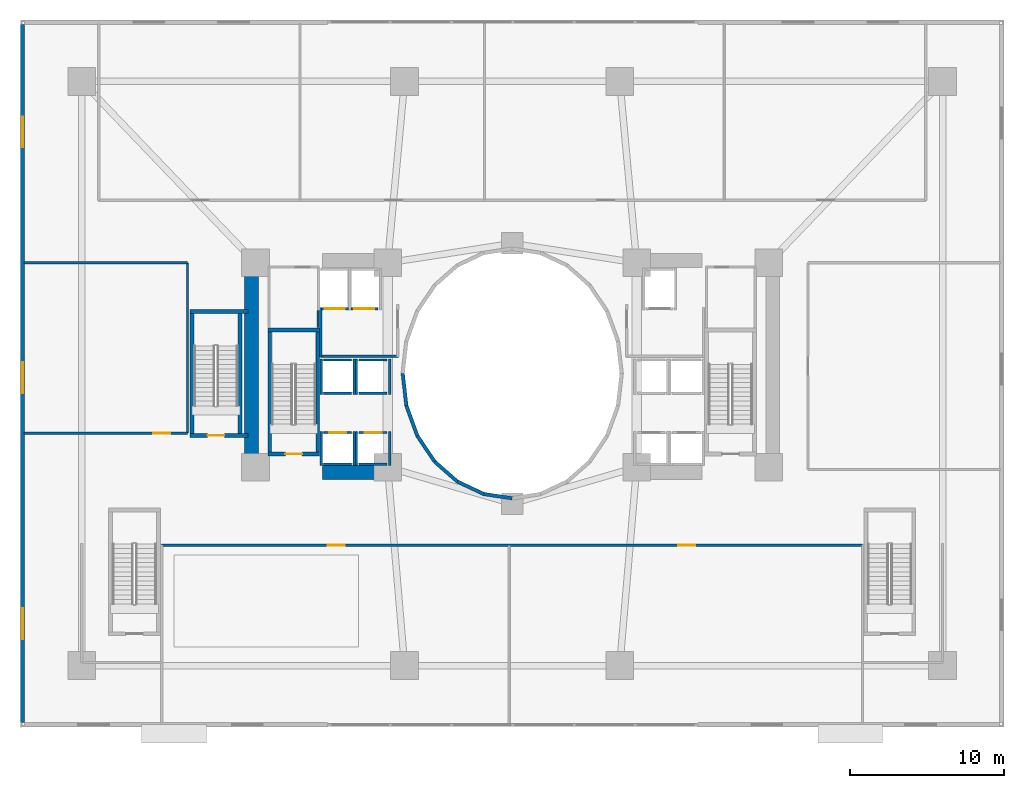
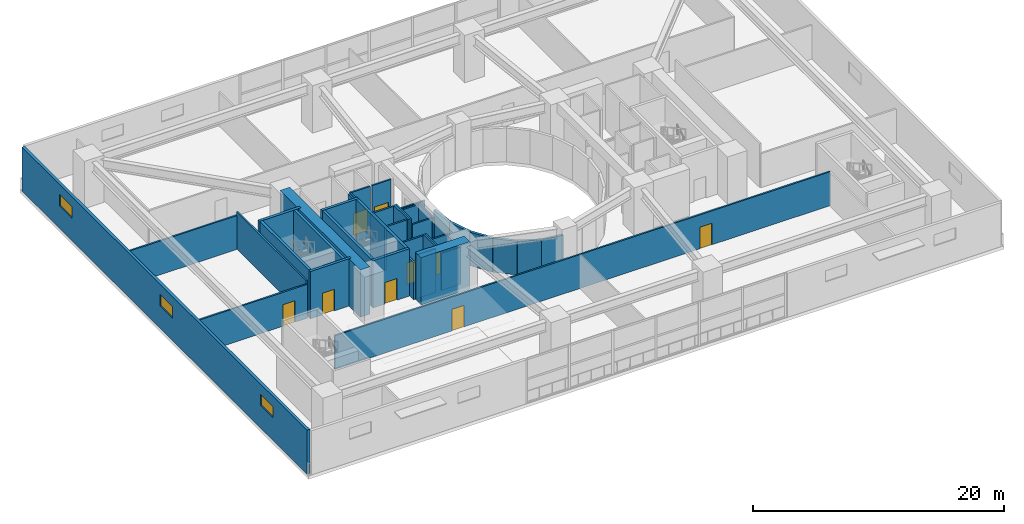
# One storey, part 11 of 20: 42 walls, 9 doors, 3 windows, 12 openings.
"""IFC4 building model written with IfcOpenShell, lengths in metres."""

from ifc_helpers import new_model, si_unit, direction, frame, frame_2d, origin, place, context, subcontext, project, spatial, rectangle, extrude, material, layer, layer_set, type_object, element, fill, save


model = new_model("IFC4")

# Units and contexts
model_context = context("Model", 3, precision=1e-05, world=origin(), true_north=direction((0.0, 1.0)))
body_context = subcontext(model_context, "Body", "Model", "MODEL_VIEW")
ifc_project = project(units=[si_unit("LENGTHUNIT", "METRE"), si_unit("AREAUNIT", "SQUARE_METRE"), si_unit("VOLUMEUNIT", "CUBIC_METRE"), si_unit("PLANEANGLEUNIT", "RADIAN"), si_unit("MASSUNIT", "GRAM", prefix="KILO")], contexts=[model_context])

# Site, building, storey
site_placement = place(None, origin())
site = spatial("IfcSite", under=ifc_project, at=site_placement, CompositionType="ELEMENT")
building_placement = place(site_placement, origin())
building = spatial("IfcBuilding", under=site, at=building_placement, Name="Solvane Sanctuary Tower", CompositionType="ELEMENT")
storey_placement = place(building_placement, frame((0.0, 0.0, 18.39990234375)))
storey = spatial("IfcBuildingStorey", under=building, at=storey_placement, Name="L05", CompositionType="ELEMENT", Elevation=18.39990234375)

# Walls
ifc_material_1 = material(Name="Concrete C70/85", Category="concrete")
ifc_layer_1 = layer(ifc_material_1, 0.89990234375, Name="Concrete C70/85")
ifc_layer_set_1 = layer_set([ifc_layer_1], Name="Concrete C70/85")
wall_type_1 = type_object("IfcWallType", Name="Wall W-CORE-900", PredefinedType="SHEAR", material=ifc_layer_set_1)
wall_1_placement = place(storey_placement, frame((15.050048828125, 17.050048828125, 0.0), z_axis=(0.0, 0.0, 1.0), x_axis=(0.0, 1.0, 0.0)))
element("IfcWall", 1, at=wall_1_placement, inside=storey, type_object=wall_type_1, Name="L05 Core Shear Wall WC-W", PredefinedType="SHEAR", context=body_context, shape_type="SweptSolid", body=[
    extrude(rectangle(XDim=12.800048828125, YDim=0.89990234375, at=frame_2d((6.39990234375, 0.0))), origin(), (0.0, 0.0, 1.0), 4.60009765625),
])
wall_2_placement = place(storey_placement, frame((19.64990234375, 16.550048828125, 0.0), z_axis=(0.0, 0.0, 1.0), x_axis=(1.0, 0.0, 0.0)))
element("IfcWall", 2, at=wall_2_placement, inside=storey, type_object=wall_type_1, Name="L05 Core Shear Wall WC-S", PredefinedType="SHEAR", context=body_context, shape_type="SweptSolid", body=[
    extrude(rectangle(XDim=4.5, YDim=0.89990234375, at=frame_2d((2.25, 0.0))), origin(), (0.0, 0.0, 1.0), 4.60009765625),
])
ifc_material_2 = material(Name="Acoustic Gypsum Partition Board")
ifc_layer_2 = layer(ifc_material_2, 0.14990234375, Name="Acoustic Gypsum Partition Board")
ifc_layer_set_2 = layer_set([ifc_layer_2], Name="Acoustic Gypsum Partition Board")
wall_type_2 = type_object("IfcWallType", Name="Wall W-CORR-150", PredefinedType="PARTITIONING", material=ifc_layer_set_2)
wall_3_placement = place(storey_placement, frame((19.52001953125, 24.1201171875, 0.0), z_axis=(0.0, 0.0, 1.0), x_axis=(1.0, 0.0, 0.0)))
element("IfcWall", 3, at=wall_3_placement, inside=storey, type_object=wall_type_2, Name="L05 West Firefighting Lobby South Wall", PredefinedType="PARTITIONING", context=body_context, shape_type="SweptSolid", body=[
    extrude(rectangle(XDim=5.080078125, YDim=0.14990234375, at=frame_2d((2.5400390625, 0.0))), origin(), (0.0, 0.0, 1.0), 3.6201171875),
])
wall_4_placement = place(storey_placement, frame((19.550048828125, 24.080078125, 0.0), z_axis=(0.0, 0.0, 1.0), x_axis=(0.0, 1.0, 0.0)))
element("IfcWall", 4, at=wall_4_placement, inside=storey, type_object=wall_type_2, Name="L05 West Firefighting Lobby West Wall", PredefinedType="PARTITIONING", context=body_context, shape_type="SweptSolid", body=[
    extrude(rectangle(XDim=3.199951171875, YDim=0.14990234375, at=frame_2d((1.60009765625, 0.0))), origin(), (0.0, 0.0, 1.0), 4.255126953125),
])

# Wall, openings, doors
wall_5_placement = place(storey_placement, frame((9.199951171875, 11.830078125, 0.0), z_axis=(0.0, 0.0, 1.0), x_axis=(1.0, 0.0, 0.0)))
wall_5 = element("IfcWall", 5, at=wall_5_placement, inside=storey, type_object=wall_type_2, Name="L05 South Sanctuary Corridor Wall", PredefinedType="PARTITIONING", context=body_context, shape_type="SweptSolid", body=[
    extrude(rectangle(XDim=45.60009765625, YDim=0.14990234375, at=frame_2d((22.800048828125, 0.0))), origin(), (0.0, 0.0, 1.0), 3.300048828125),
])
opening_1_placement = place(wall_5_placement, frame((10.800048828125, 0.0, 0.0)))
opening_1 = element("IfcOpeningElement", 6, at=opening_1_placement, cuts=wall_5, Name="Opening D-L05-08", PredefinedType="OPENING", context=body_context, shape_type="SweptSolid", body=[
    extrude(rectangle(XDim=1.10009765625, YDim=2.10009765625, at=frame_2d((0.550048828125, 1.050048828125))), frame((0.0, 0.0849609375, 0.0), z_axis=(0.0, -1.0, 0.0), x_axis=(1.0, 0.0, 0.0)), (0.0, 0.0, 1.0), 0.169921875),
])
opening_2_placement = place(wall_5_placement, frame((33.60009765625, 0.0, 0.0)))
opening_2 = element("IfcOpeningElement", 7, at=opening_2_placement, cuts=wall_5, Name="Opening D-L05-09", PredefinedType="OPENING", context=body_context, shape_type="SweptSolid", body=[
    extrude(rectangle(XDim=1.10009765625, YDim=2.10009765625, at=frame_2d((0.550048828125, 1.050048828125))), frame((0.0, 0.0849609375, 0.0), z_axis=(0.0, -1.0, 0.0), x_axis=(1.0, 0.0, 0.0)), (0.0, 0.0, 1.0), 0.169921875),
])
ifc_material_3 = material(Name="Architectural Stainless Steel 316", Category="steel")
door_type_1 = type_object("IfcDoorType", Name="Door D-FFL", OperationType="NOTDEFINED", PredefinedType="DOOR", material=ifc_material_3)
door_1_placement = place(opening_1_placement, origin())
door_1 = element("IfcDoor", 8, at=door_1_placement, inside=storey, type_object=door_type_1, Name="L05 CHAP Hall Door", OperationType="SINGLE_SWING_RIGHT", OverallHeight=2.10009765625, OverallWidth=1.10009765625, PredefinedType="DOOR", context=body_context, shape_type="SweptSolid", body=[
    extrude(rectangle(XDim=1.10009765625, YDim=2.10009765625, at=frame_2d((0.550048828125, 1.050048828125))), frame((0.0, 0.02490234375, 0.0), z_axis=(0.0, -1.0, 0.0), x_axis=(1.0, 0.0, 0.0)), (0.0, 0.0, 1.0), 0.050048828125),
])
fill(opening_1, door_1)
door_2_placement = place(opening_2_placement, origin())
door_2 = element("IfcDoor", 9, at=door_2_placement, inside=storey, type_object=door_type_1, Name="L05 LECT Hall Door", OperationType="SINGLE_SWING_LEFT", OverallHeight=2.10009765625, OverallWidth=1.10009765625, PredefinedType="DOOR", context=body_context, shape_type="SweptSolid", body=[
    extrude(rectangle(XDim=1.10009765625, YDim=2.10009765625, at=frame_2d((0.550048828125, 1.050048828125))), frame((0.0, 0.02490234375, 0.0), z_axis=(0.0, -1.0, 0.0), x_axis=(1.0, 0.0, 0.0)), (0.0, 0.0, 1.0), 0.050048828125),
])
fill(opening_2, door_2)

# Wall, opening, door
wall_6_placement = place(storey_placement, frame((0.25, 19.1201171875, 0.0), z_axis=(0.0, 0.0, 1.0), x_axis=(1.0, 0.0, 0.0)))
wall_6 = element("IfcWall", 10, at=wall_6_placement, inside=storey, type_object=wall_type_2, Name="L05 West Cloister South Wall", PredefinedType="PARTITIONING", context=body_context, shape_type="SweptSolid", body=[
    extrude(rectangle(XDim=10.6298828125, YDim=0.14990234375, at=frame_2d((5.31494140625, 0.0))), origin(), (0.0, 0.0, 1.0), 3.300048828125),
])
opening_3_placement = place(wall_6_placement, frame((8.39990234375, 0.0, 0.0)))
opening_3 = element("IfcOpeningElement", 11, at=opening_3_placement, cuts=wall_6, Name="Opening D-L05-15", PredefinedType="OPENING", context=body_context, shape_type="SweptSolid", body=[
    extrude(rectangle(XDim=1.10009765625, YDim=2.10009765625, at=frame_2d((0.550048828125, 1.050048828125))), frame((0.0, 0.0849609375, 0.0), z_axis=(0.0, -1.0, 0.0), x_axis=(1.0, 0.0, 0.0)), (0.0, 0.0, 1.0), 0.169921875),
])
door_3_placement = place(opening_3_placement, origin())
door_3 = element("IfcDoor", 12, at=door_3_placement, inside=storey, type_object=door_type_1, Name="L05 West Cloister Door", OperationType="SINGLE_SWING_LEFT", OverallHeight=2.10009765625, OverallWidth=1.10009765625, PredefinedType="DOOR", context=body_context, shape_type="SweptSolid", body=[
    extrude(rectangle(XDim=1.10009765625, YDim=2.10009765625, at=frame_2d((0.550048828125, 1.050048828125))), frame((0.0, 0.02490234375, 0.0), z_axis=(0.0, -1.0, 0.0), x_axis=(1.0, 0.0, 0.0)), (0.0, 0.0, 1.0), 0.050048828125),
])
fill(opening_3, door_3)

# Walls
wall_7_placement = place(storey_placement, frame((10.8798828125, 19.1201171875, 0.0), z_axis=(0.0, 0.0, 1.0), x_axis=(0.0, 1.0, 0.0)))
element("IfcWall", 13, at=wall_7_placement, inside=storey, type_object=wall_type_2, Name="L05 West Cloister East Wall", PredefinedType="PARTITIONING", context=body_context, shape_type="SweptSolid", body=[
    extrude(rectangle(XDim=11.079833984375, YDim=0.14990234375, at=frame_2d((5.5400390625, 0.0))), origin(), (0.0, 0.0, 1.0), 3.6201171875),
])
wall_8_placement = place(storey_placement, frame((0.25, 30.199951171875, 0.0), z_axis=(0.0, 0.0, 1.0), x_axis=(1.0, 0.0, 0.0)))
element("IfcWall", 14, at=wall_8_placement, inside=storey, type_object=wall_type_2, Name="L05 West Cloister North Wall", PredefinedType="PARTITIONING", context=body_context, shape_type="SweptSolid", body=[
    extrude(rectangle(XDim=10.6298828125, YDim=0.14990234375, at=frame_2d((5.31494140625, 0.0))), origin(), (0.0, 0.0, 1.0), 3.300048828125),
])

# Wall, openings, windows
ifc_material_4 = material(Name="Precast concrete C40/50", Category="concrete")
ifc_layer_3 = layer(ifc_material_4, 0.260009765625, Name="Precast concrete C40/50")
ifc_layer_set_3 = layer_set([ifc_layer_3], Name="Precast concrete C40/50")
wall_type_3 = type_object("IfcWallType", Name="Wall W-EXT-250", PredefinedType="STANDARD", material=ifc_layer_set_3)
wall_9_placement = place(storey_placement, frame((0.14990234375, 45.719970703125, 0.0), z_axis=(0.0, 0.0, 1.0), x_axis=(0.0, -1.0, 0.0)))
wall_9 = element("IfcWall", 15, at=wall_9_placement, inside=storey, type_object=wall_type_3, Name="L05 Podium Facade Wall W1", PredefinedType="STANDARD", context=body_context, shape_type="SweptSolid", body=[
    extrude(rectangle(XDim=45.43994140625, YDim=0.260009765625, at=frame_2d((22.719970703125, 0.0))), origin(), (0.0, 0.0, 1.0), 4.280029296875),
])
opening_4_placement = place(wall_9_placement, frame((6.0, 0.0, 2.199951171875)))
opening_4 = element("IfcOpeningElement", 16, at=opening_4_placement, cuts=wall_9, Name="Opening WN-CLER-2000", PredefinedType="OPENING", context=body_context, shape_type="SweptSolid", body=[
    extrude(rectangle(XDim=2.0, YDim=1.10009765625, at=frame_2d((1.0, 0.550048828125))), frame((0.0, 0.139892578125, 0.0), z_axis=(0.0, -1.0, 0.0), x_axis=(1.0, 0.0, 0.0)), (0.0, 0.0, 1.0), 0.280029296875),
])
opening_5_placement = place(wall_9_placement, frame((22.0, 0.0, 2.199951171875)))
opening_5 = element("IfcOpeningElement", 17, at=opening_5_placement, cuts=wall_9, Name="Opening WN-CLER-2000", PredefinedType="OPENING", context=body_context, shape_type="SweptSolid", body=[
    extrude(rectangle(XDim=2.0, YDim=1.10009765625, at=frame_2d((1.0, 0.550048828125))), frame((0.0, 0.139892578125, 0.0), z_axis=(0.0, -1.0, 0.0), x_axis=(1.0, 0.0, 0.0)), (0.0, 0.0, 1.0), 0.280029296875),
])
opening_6_placement = place(wall_9_placement, frame((38.0, 0.0, 2.199951171875)))
opening_6 = element("IfcOpeningElement", 18, at=opening_6_placement, cuts=wall_9, Name="Opening WN-CLER-2000", PredefinedType="OPENING", context=body_context, shape_type="SweptSolid", body=[
    extrude(rectangle(XDim=2.0, YDim=1.10009765625, at=frame_2d((1.0, 0.550048828125))), frame((0.0, 0.139892578125, 0.0), z_axis=(0.0, -1.0, 0.0), x_axis=(1.0, 0.0, 0.0)), (0.0, 0.0, 1.0), 0.280029296875),
])
ifc_material_5 = material(Name="Dark Ceramic-Fritted Low-E Glass", Category="glass")
window_type = type_object("IfcWindowType", Name="Window WN-CLER-2000", PartitioningType="SINGLE_PANEL", PredefinedType="WINDOW", material=ifc_material_5)
window_1_placement = place(opening_4_placement, origin())
window_1 = element("IfcWindow", 19, at=window_1_placement, inside=storey, type_object=window_type, Name="L05 Podium Window W1-6", OverallHeight=1.10009765625, OverallWidth=2.0, PartitioningType="SINGLE_PANEL", PredefinedType="WINDOW", context=body_context, shape_type="SweptSolid", body=[
    extrude(rectangle(XDim=2.0, YDim=1.10009765625, at=frame_2d((1.0, 0.550048828125))), frame((0.0, 0.030029296875, 0.0), z_axis=(0.0, -1.0, 0.0), x_axis=(1.0, 0.0, 0.0)), (0.0, 0.0, 1.0), 0.06005859375),
])
fill(opening_4, window_1)
window_2_placement = place(opening_5_placement, origin())
window_2 = element("IfcWindow", 20, at=window_2_placement, inside=storey, type_object=window_type, Name="L05 Podium Window W1-22", OverallHeight=1.10009765625, OverallWidth=2.0, PartitioningType="SINGLE_PANEL", PredefinedType="WINDOW", context=body_context, shape_type="SweptSolid", body=[
    extrude(rectangle(XDim=2.0, YDim=1.10009765625, at=frame_2d((1.0, 0.550048828125))), frame((0.0, 0.030029296875, 0.0), z_axis=(0.0, -1.0, 0.0), x_axis=(1.0, 0.0, 0.0)), (0.0, 0.0, 1.0), 0.06005859375),
])
fill(opening_5, window_2)
window_3_placement = place(opening_6_placement, origin())
window_3 = element("IfcWindow", 21, at=window_3_placement, inside=storey, type_object=window_type, Name="L05 Podium Window W1-38", OverallHeight=1.10009765625, OverallWidth=2.0, PartitioningType="SINGLE_PANEL", PredefinedType="WINDOW", context=body_context, shape_type="SweptSolid", body=[
    extrude(rectangle(XDim=2.0, YDim=1.10009765625, at=frame_2d((1.0, 0.550048828125))), frame((0.0, 0.030029296875, 0.0), z_axis=(0.0, -1.0, 0.0), x_axis=(1.0, 0.0, 0.0)), (0.0, 0.0, 1.0), 0.06005859375),
])
fill(opening_6, window_3)

# Walls
ifc_layer_4 = layer(ifc_material_4, 0.22998046875, Name="Precast concrete C40/50")
ifc_layer_set_4 = layer_set([ifc_layer_4], Name="Precast concrete C40/50")
wall_type_4 = type_object("IfcWallType", Name="Wall W-EXT-SP220", PredefinedType="STANDARD", material=ifc_layer_set_4)
wall_10_placement = place(storey_placement, frame((24.8798828125, 23.0, 0.0), z_axis=(0.0, 0.0, 1.0), x_axis=(0.114711713601, -0.993398823617, 0.0)))
element("IfcWall", 22, at=wall_10_placement, inside=storey, type_object=wall_type_4, Name="L05 Light-Well Enclosure Wall 12", PredefinedType="STANDARD", context=body_context, shape_type="SweptSolid", body=[
    extrude(rectangle(XDim=2.115478515625, YDim=0.22998046875, at=frame_2d((1.0576171875, 0.0))), origin(), (0.0, 0.0, 1.0), 3.280029296875),
])
wall_11_placement = place(storey_placement, frame((25.12255859375, 20.8984375, 0.0), z_axis=(0.0, 0.0, 1.0), x_axis=(0.341423187295, -0.93990968033, 0.0)))
element("IfcWall", 23, at=wall_11_placement, inside=storey, type_object=wall_type_4, Name="L05 Light-Well Enclosure Wall 13", PredefinedType="STANDARD", context=body_context, shape_type="SweptSolid", body=[
    extrude(rectangle(XDim=2.083740234375, YDim=0.22998046875, at=frame_2d((1.0419921875, 0.0))), origin(), (0.0, 0.0, 1.0), 3.280029296875),
])
wall_12_placement = place(storey_placement, frame((25.833984375, 18.93994140625, 0.0), z_axis=(0.0, 0.0, 1.0), x_axis=(0.558197800898, -0.829707909492, 0.0)))
element("IfcWall", 24, at=wall_12_placement, inside=storey, type_object=wall_type_4, Name="L05 Light-Well Enclosure Wall 14", PredefinedType="STANDARD", context=body_context, shape_type="SweptSolid", body=[
    extrude(rectangle(XDim=2.02685546875, YDim=0.22998046875, at=frame_2d((1.013427734375, 0.0))), origin(), (0.0, 0.0, 1.0), 3.280029296875),
])
wall_13_placement = place(storey_placement, frame((26.96533203125, 17.25830078125, 0.0), z_axis=(0.0, 0.0, 1.0), x_axis=(0.752576694707, -0.658504607869, 0.0)))
element("IfcWall", 25, at=wall_13_placement, inside=storey, type_object=wall_type_4, Name="L05 Light-Well Enclosure Wall 15", PredefinedType="STANDARD", context=body_context, shape_type="SweptSolid", body=[
    extrude(rectangle(XDim=1.95947265625, YDim=0.22998046875, at=frame_2d((0.979736328125, 0.0))), origin(), (0.0, 0.0, 1.0), 3.280029296875),
])
wall_14_placement = place(storey_placement, frame((28.43994140625, 15.968017578125, 0.0), z_axis=(0.0, 0.0, 1.0), x_axis=(0.904179699603, -0.427152280606, 0.0)))
element("IfcWall", 26, at=wall_14_placement, inside=storey, type_object=wall_type_4, Name="L05 Light-Well Enclosure Wall 16", PredefinedType="STANDARD", context=body_context, shape_type="SweptSolid", body=[
    extrude(rectangle(XDim=1.899169921875, YDim=0.22998046875, at=frame_2d((0.94970703125, 0.0))), origin(), (0.0, 0.0, 1.0), 3.280029296875),
])
wall_15_placement = place(storey_placement, frame((30.1572265625, 15.15673828125, 0.0), z_axis=(0.0, 0.0, 1.0), x_axis=(0.988901730308, -0.148571086668, 0.0)))
element("IfcWall", 27, at=wall_15_placement, inside=storey, type_object=wall_type_4, Name="L05 Light-Well Enclosure Wall 17", PredefinedType="STANDARD", context=body_context, shape_type="SweptSolid", body=[
    extrude(rectangle(XDim=1.863525390625, YDim=0.22998046875, at=frame_2d((0.931640625, 0.0))), origin(), (0.0, 0.0, 1.0), 3.280029296875),
])

# Wall, opening, door
ifc_material_6 = material(Name="Concrete C50/60", Category="concrete")
ifc_layer_5 = layer(ifc_material_6, 0.14990234375, Name="Concrete C50/60")
ifc_layer_set_5 = layer_set([ifc_layer_5], Name="Concrete C50/60")
wall_type_5 = type_object("IfcWallType", Name="Wall W-SHAFT-150", PredefinedType="SOLIDWALL", material=ifc_layer_set_5)
wall_16_placement = place(storey_placement, frame((19.739990234375, 19.159912109375, 0.0), z_axis=(0.0, 0.0, 1.0), x_axis=(1.0, 0.0, 0.0)))
wall_16 = element("IfcWall", 28, at=wall_16_placement, inside=storey, type_object=wall_type_5, Name="L05 PL-1 Lift Shaft Wall F", PredefinedType="SOLIDWALL", context=body_context, shape_type="SweptSolid", body=[
    extrude(rectangle(XDim=1.820068359375, YDim=0.14990234375, at=frame_2d((0.91015625, 0.0))), origin(), (0.0, 0.0, 1.0), 4.255126953125),
])
opening_7_placement = place(wall_16_placement, frame((0.360107421875, 0.0, 0.0)))
opening_7 = element("IfcOpeningElement", 29, at=opening_7_placement, cuts=wall_16, Name="Opening LD-L05-01", PredefinedType="OPENING", context=body_context, shape_type="SweptSolid", body=[
    extrude(rectangle(XDim=1.10009765625, YDim=2.10009765625, at=frame_2d((0.550048828125, 1.050048828125))), frame((0.0, 0.0849609375, 0.0), z_axis=(0.0, -1.0, 0.0), x_axis=(1.0, 0.0, 0.0)), (0.0, 0.0, 1.0), 0.169921875),
])
door_type_2 = type_object("IfcDoorType", Name="Door LD-PASS-1100", OperationType="NOTDEFINED", PredefinedType="DOOR", material=ifc_material_3)
door_4_placement = place(opening_7_placement, origin())
door_4 = element("IfcDoor", 30, at=door_4_placement, inside=storey, type_object=door_type_2, Name="L05 PL-1 Lift Landing Door", OperationType="DOUBLE_DOOR_SLIDING", OverallHeight=2.10009765625, OverallWidth=1.10009765625, PredefinedType="DOOR", context=body_context, shape_type="SweptSolid", body=[
    extrude(rectangle(XDim=1.10009765625, YDim=2.10009765625, at=frame_2d((0.550048828125, 1.050048828125))), frame((0.0, 0.02490234375, 0.0), z_axis=(0.0, -1.0, 0.0), x_axis=(1.0, 0.0, 0.0)), (0.0, 0.0, 1.0), 0.050048828125),
])
fill(opening_7, door_4)

# Walls
wall_17_placement = place(storey_placement, frame((19.739990234375, 17.10009765625, 0.0), z_axis=(0.0, 0.0, 1.0), x_axis=(1.0, 0.0, 0.0)))
element("IfcWall", 31, at=wall_17_placement, inside=storey, type_object=wall_type_5, Name="L05 PL-1 Lift Shaft Wall B", PredefinedType="SOLIDWALL", context=body_context, shape_type="SweptSolid", body=[
    extrude(rectangle(XDim=1.820068359375, YDim=0.14990234375, at=frame_2d((0.91015625, 0.0))), origin(), (0.0, 0.0, 1.0), 4.255126953125),
])
wall_18_placement = place(storey_placement, frame((19.570068359375, 17.02001953125, 0.0), z_axis=(0.0, 0.0, 1.0), x_axis=(0.0, 1.0, 0.0)))
element("IfcWall", 32, at=wall_18_placement, inside=storey, type_object=wall_type_5, Name="L05 PL-1 Lift Shaft Wall S1", PredefinedType="SOLIDWALL", context=body_context, shape_type="SweptSolid", body=[
    extrude(rectangle(XDim=2.219970703125, YDim=0.14990234375, at=frame_2d((1.10986328125, 0.0))), origin(), (0.0, 0.0, 1.0), 3.6201171875),
])
wall_19_placement = place(storey_placement, frame((21.72998046875, 17.02001953125, 0.0), z_axis=(0.0, 0.0, 1.0), x_axis=(0.0, 1.0, 0.0)))
element("IfcWall", 33, at=wall_19_placement, inside=storey, type_object=wall_type_5, Name="L05 PL-1 Lift Shaft Wall S2", PredefinedType="SOLIDWALL", context=body_context, shape_type="SweptSolid", body=[
    extrude(rectangle(XDim=2.219970703125, YDim=0.14990234375, at=frame_2d((1.10986328125, 0.0))), origin(), (0.0, 0.0, 1.0), 4.255126953125),
])

# Wall, opening, door
wall_20_placement = place(storey_placement, frame((22.0400390625, 19.159912109375, 0.0), z_axis=(0.0, 0.0, 1.0), x_axis=(1.0, 0.0, 0.0)))
wall_20 = element("IfcWall", 34, at=wall_20_placement, inside=storey, type_object=wall_type_5, Name="L05 PL-2 Lift Shaft Wall F", PredefinedType="SOLIDWALL", context=body_context, shape_type="SweptSolid", body=[
    extrude(rectangle(XDim=1.820068359375, YDim=0.14990234375, at=frame_2d((0.91015625, 0.0))), origin(), (0.0, 0.0, 1.0), 3.6201171875),
])
opening_8_placement = place(wall_20_placement, frame((0.360107421875, 0.0, 0.0)))
opening_8 = element("IfcOpeningElement", 35, at=opening_8_placement, cuts=wall_20, Name="Opening LD-L05-02", PredefinedType="OPENING", context=body_context, shape_type="SweptSolid", body=[
    extrude(rectangle(XDim=1.10009765625, YDim=2.10009765625, at=frame_2d((0.550048828125, 1.050048828125))), frame((0.0, 0.0849609375, 0.0), z_axis=(0.0, -1.0, 0.0), x_axis=(1.0, 0.0, 0.0)), (0.0, 0.0, 1.0), 0.169921875),
])
door_5_placement = place(opening_8_placement, origin())
door_5 = element("IfcDoor", 36, at=door_5_placement, inside=storey, type_object=door_type_2, Name="L05 PL-2 Lift Landing Door", OperationType="DOUBLE_DOOR_SLIDING", OverallHeight=2.10009765625, OverallWidth=1.10009765625, PredefinedType="DOOR", context=body_context, shape_type="SweptSolid", body=[
    extrude(rectangle(XDim=1.10009765625, YDim=2.10009765625, at=frame_2d((0.550048828125, 1.050048828125))), frame((0.0, 0.02490234375, 0.0), z_axis=(0.0, -1.0, 0.0), x_axis=(1.0, 0.0, 0.0)), (0.0, 0.0, 1.0), 0.050048828125),
])
fill(opening_8, door_5)

# Walls
wall_21_placement = place(storey_placement, frame((22.0400390625, 17.10009765625, 0.0), z_axis=(0.0, 0.0, 1.0), x_axis=(1.0, 0.0, 0.0)))
element("IfcWall", 37, at=wall_21_placement, inside=storey, type_object=wall_type_5, Name="L05 PL-2 Lift Shaft Wall B", PredefinedType="SOLIDWALL", context=body_context, shape_type="SweptSolid", body=[
    extrude(rectangle(XDim=1.820068359375, YDim=0.14990234375, at=frame_2d((0.91015625, 0.0))), origin(), (0.0, 0.0, 1.0), 3.6201171875),
])
wall_22_placement = place(storey_placement, frame((21.8701171875, 17.02001953125, 0.0), z_axis=(0.0, 0.0, 1.0), x_axis=(0.0, 1.0, 0.0)))
element("IfcWall", 38, at=wall_22_placement, inside=storey, type_object=wall_type_5, Name="L05 PL-2 Lift Shaft Wall S1", PredefinedType="SOLIDWALL", context=body_context, shape_type="SweptSolid", body=[
    extrude(rectangle(XDim=2.219970703125, YDim=0.14990234375, at=frame_2d((1.10986328125, 0.0))), origin(), (0.0, 0.0, 1.0), 4.255126953125),
])
wall_23_placement = place(storey_placement, frame((24.030029296875, 17.02001953125, 0.0), z_axis=(0.0, 0.0, 1.0), x_axis=(0.0, 1.0, 0.0)))
element("IfcWall", 39, at=wall_23_placement, inside=storey, type_object=wall_type_5, Name="L05 PL-2 Lift Shaft Wall S2", PredefinedType="SOLIDWALL", context=body_context, shape_type="SweptSolid", body=[
    extrude(rectangle(XDim=2.219970703125, YDim=0.14990234375, at=frame_2d((1.10986328125, 0.0))), origin(), (0.0, 0.0, 1.0), 3.300048828125),
])
for number, where, z_axis, x_axis, name in (
    (40, (19.739990234375, 21.719970703125, 0.0), (0.0, 0.0, 1.0), (1.0, 0.0, 0.0), "L05 PM-1 Lift Shaft Wall F"),
    (41, (19.739990234375, 23.8798828125, 0.0), (0.0, 0.0, 1.0), (1.0, 0.0, 0.0), "L05 PM-1 Lift Shaft Wall B"),
):
    element("IfcWall", number, at=place(storey_placement, frame(where, z_axis=z_axis, x_axis=x_axis)), inside=storey, type_object=wall_type_5, Name=name, PredefinedType="SOLIDWALL", context=body_context, shape_type="SweptSolid", body=[
        extrude(rectangle(XDim=1.820068359375, YDim=0.14990234375, at=frame_2d((0.91015625, 0.0))), origin(), (0.0, 0.0, 1.0), 4.255126953125),
    ])
for number, where, z_axis, x_axis, name in (
    (42, (19.570068359375, 21.639892578125, 0.0), (0.0, 0.0, 1.0), (0.0, 1.0, 0.0), "L05 PM-1 Lift Shaft Wall S1"),
    (43, (21.72998046875, 21.639892578125, 0.0), (0.0, 0.0, 1.0), (0.0, 1.0, 0.0), "L05 PM-1 Lift Shaft Wall S2"),
):
    element("IfcWall", number, at=place(storey_placement, frame(where, z_axis=z_axis, x_axis=x_axis)), inside=storey, type_object=wall_type_5, Name=name, PredefinedType="SOLIDWALL", context=body_context, shape_type="SweptSolid", body=[
        extrude(rectangle(XDim=2.320068359375, YDim=0.14990234375, at=frame_2d((1.16015625, 0.0))), origin(), (0.0, 0.0, 1.0), 4.255126953125),
    ])
for number, where, z_axis, x_axis, name in (
    (44, (22.0400390625, 21.719970703125, 0.0), (0.0, 0.0, 1.0), (1.0, 0.0, 0.0), "L05 PH-1 Lift Shaft Wall F"),
    (45, (22.0400390625, 23.8798828125, 0.0), (0.0, 0.0, 1.0), (1.0, 0.0, 0.0), "L05 PH-1 Lift Shaft Wall B"),
):
    element("IfcWall", number, at=place(storey_placement, frame(where, z_axis=z_axis, x_axis=x_axis)), inside=storey, type_object=wall_type_5, Name=name, PredefinedType="SOLIDWALL", context=body_context, shape_type="SweptSolid", body=[
        extrude(rectangle(XDim=1.820068359375, YDim=0.14990234375, at=frame_2d((0.91015625, 0.0))), origin(), (0.0, 0.0, 1.0), 3.6201171875),
    ])
wall_24_placement = place(storey_placement, frame((21.8701171875, 21.639892578125, 0.0), z_axis=(0.0, 0.0, 1.0), x_axis=(0.0, 1.0, 0.0)))
element("IfcWall", 46, at=wall_24_placement, inside=storey, type_object=wall_type_5, Name="L05 PH-1 Lift Shaft Wall S1", PredefinedType="SOLIDWALL", context=body_context, shape_type="SweptSolid", body=[
    extrude(rectangle(XDim=2.320068359375, YDim=0.14990234375, at=frame_2d((1.16015625, 0.0))), origin(), (0.0, 0.0, 1.0), 4.255126953125),
])
wall_25_placement = place(storey_placement, frame((24.030029296875, 21.639892578125, 0.0), z_axis=(0.0, 0.0, 1.0), x_axis=(0.0, 1.0, 0.0)))
element("IfcWall", 47, at=wall_25_placement, inside=storey, type_object=wall_type_5, Name="L05 PH-1 Lift Shaft Wall S2", PredefinedType="SOLIDWALL", context=body_context, shape_type="SweptSolid", body=[
    extrude(rectangle(XDim=2.320068359375, YDim=0.14990234375, at=frame_2d((1.16015625, 0.0))), origin(), (0.0, 0.0, 1.0), 3.6201171875),
])

# Wall, opening, door
wall_26_placement = place(storey_placement, frame((19.590087890625, 27.219970703125, 0.0), z_axis=(0.0, 0.0, 1.0), x_axis=(1.0, 0.0, 0.0)))
wall_26 = element("IfcWall", 48, at=wall_26_placement, inside=storey, type_object=wall_type_5, Name="L05 FFL-1 Lift Shaft Wall F", PredefinedType="SOLIDWALL", context=body_context, shape_type="SweptSolid", body=[
    extrude(rectangle(XDim=1.760009765625, YDim=0.14990234375, at=frame_2d((0.8798828125, 0.0))), origin(), (0.0, 0.0, 1.0), 4.255126953125),
])
opening_9_placement = place(wall_26_placement, frame((0.22998046875, 0.0, 0.0)))
opening_9 = element("IfcOpeningElement", 49, at=opening_9_placement, cuts=wall_26, Name="Opening LD-L05-05", PredefinedType="OPENING", context=body_context, shape_type="SweptSolid", body=[
    extrude(rectangle(XDim=1.300048828125, YDim=2.10009765625, at=frame_2d((0.64990234375, 1.050048828125))), frame((0.0, 0.0849609375, 0.0), z_axis=(0.0, -1.0, 0.0), x_axis=(1.0, 0.0, 0.0)), (0.0, 0.0, 1.0), 0.169921875),
])
door_type_3 = type_object("IfcDoorType", Name="Door LD-FFL-1300", OperationType="NOTDEFINED", PredefinedType="DOOR", material=ifc_material_3)
door_6_placement = place(opening_9_placement, origin())
door_6 = element("IfcDoor", 50, at=door_6_placement, inside=storey, type_object=door_type_3, Name="L05 FFL-1 Lift Landing Door", OperationType="DOUBLE_DOOR_SLIDING", OverallHeight=2.10009765625, OverallWidth=1.300048828125, PredefinedType="DOOR", context=body_context, shape_type="SweptSolid", body=[
    extrude(rectangle(XDim=1.300048828125, YDim=2.10009765625, at=frame_2d((0.64990234375, 1.050048828125))), frame((0.0, 0.02490234375, 0.0), z_axis=(0.0, -1.0, 0.0), x_axis=(1.0, 0.0, 0.0)), (0.0, 0.0, 1.0), 0.050048828125),
])
fill(opening_9, door_6)

wall_27_placement = place(storey_placement, frame((21.5, 27.219970703125, 0.0), z_axis=(0.0, 0.0, 1.0), x_axis=(1.0, 0.0, 0.0)))
wall_27 = element("IfcWall", 51, at=wall_27_placement, inside=storey, type_object=wall_type_5, Name="L05 SVL-1 Lift Shaft Wall F", PredefinedType="SOLIDWALL", context=body_context, shape_type="SweptSolid", body=[
    extrude(rectangle(XDim=1.760009765625, YDim=0.14990234375, at=frame_2d((0.8798828125, 0.0))), origin(), (0.0, 0.0, 1.0), 4.255126953125),
])
opening_10_placement = place(wall_27_placement, frame((0.22998046875, 0.0, 0.0)))
opening_10 = element("IfcOpeningElement", 52, at=opening_10_placement, cuts=wall_27, Name="Opening LD-L05-06", PredefinedType="OPENING", context=body_context, shape_type="SweptSolid", body=[
    extrude(rectangle(XDim=1.300048828125, YDim=2.10009765625, at=frame_2d((0.64990234375, 1.050048828125))), frame((0.0, 0.0849609375, 0.0), z_axis=(0.0, -1.0, 0.0), x_axis=(1.0, 0.0, 0.0)), (0.0, 0.0, 1.0), 0.169921875),
])
door_7_placement = place(opening_10_placement, origin())
door_7 = element("IfcDoor", 53, at=door_7_placement, inside=storey, type_object=door_type_3, Name="L05 SVL-1 Lift Landing Door", OperationType="DOUBLE_DOOR_SLIDING", OverallHeight=2.10009765625, OverallWidth=1.300048828125, PredefinedType="DOOR", context=body_context, shape_type="SweptSolid", body=[
    extrude(rectangle(XDim=1.300048828125, YDim=2.10009765625, at=frame_2d((0.64990234375, 1.050048828125))), frame((0.0, 0.02490234375, 0.0), z_axis=(0.0, -1.0, 0.0), x_axis=(1.0, 0.0, 0.0)), (0.0, 0.0, 1.0), 0.050048828125),
])
fill(opening_10, door_7)

ifc_layer_6 = layer(ifc_material_6, 0.25, Name="Concrete C50/60")
ifc_layer_set_6 = layer_set([ifc_layer_6], Name="Concrete C50/60")
wall_type_6 = type_object("IfcWallType", Name="Wall W-SHAFT-250", PredefinedType="SOLIDWALL", material=ifc_layer_set_6)
wall_28_placement = place(storey_placement, frame((16.10498046875, 17.77001953125, 0.0), z_axis=(0.0, 0.0, 1.0), x_axis=(1.0, 0.0, 0.0)))
wall_28 = element("IfcWall", 54, at=wall_28_placement, inside=storey, type_object=wall_type_6, Name="L05 ST-1 Load-Bearing Shaft Wall S", PredefinedType="SOLIDWALL", context=body_context, shape_type="SweptSolid", body=[
    extrude(rectangle(XDim=3.3701171875, YDim=0.25, at=frame_2d((1.68505859375, 0.0))), origin(), (0.0, 0.0, 1.0), 4.60009765625),
])
opening_11_placement = place(wall_28_placement, frame((1.135009765625, 0.0, 0.0)))
opening_11 = element("IfcOpeningElement", 55, at=opening_11_placement, cuts=wall_28, Name="Opening D-L05-01", PredefinedType="OPENING", context=body_context, shape_type="SweptSolid", body=[
    extrude(rectangle(XDim=1.10009765625, YDim=2.10009765625, at=frame_2d((0.550048828125, 1.050048828125))), frame((0.0, 0.135009765625, 0.0), z_axis=(0.0, -1.0, 0.0), x_axis=(1.0, 0.0, 0.0)), (0.0, 0.0, 1.0), 0.27001953125),
])
door_type_4 = type_object("IfcDoorType", Name="Door D-STAIR", OperationType="NOTDEFINED", PredefinedType="DOOR", material=ifc_material_3)
door_8_placement = place(opening_11_placement, origin())
door_8 = element("IfcDoor", 56, at=door_8_placement, inside=storey, type_object=door_type_4, Name="L05 ST-1 Exit Stair Fire Door", OperationType="SINGLE_SWING_LEFT", OverallHeight=2.10009765625, OverallWidth=1.10009765625, PredefinedType="DOOR", context=body_context, shape_type="SweptSolid", body=[
    extrude(rectangle(XDim=1.10009765625, YDim=2.10009765625, at=frame_2d((0.550048828125, 1.050048828125))), frame((0.0, 0.02490234375, 0.0), z_axis=(0.0, -1.0, 0.0), x_axis=(1.0, 0.0, 0.0)), (0.0, 0.0, 1.0), 0.050048828125),
])
fill(opening_11, door_8)

# Walls
wall_29_placement = place(storey_placement, frame((16.10498046875, 25.830078125, 0.0), z_axis=(0.0, 0.0, 1.0), x_axis=(1.0, 0.0, 0.0)))
element("IfcWall", 57, at=wall_29_placement, inside=storey, type_object=wall_type_6, Name="L05 ST-1 Load-Bearing Shaft Wall N", PredefinedType="SOLIDWALL", context=body_context, shape_type="SweptSolid", body=[
    extrude(rectangle(XDim=3.3701171875, YDim=0.25, at=frame_2d((1.68505859375, 0.0))), origin(), (0.0, 0.0, 1.0), 4.60009765625),
])
for number, where, z_axis, x_axis, name in (
    (58, (16.22998046875, 17.89501953125, 0.0), (0.0, 0.0, 1.0), (0.0, 1.0, 0.0), "L05 ST-1 Load-Bearing Shaft Wall W"),
    (59, (19.35009765625, 17.89501953125, 0.0), (0.0, 0.0, 1.0), (0.0, 1.0, 0.0), "L05 ST-1 Load-Bearing Shaft Wall E"),
):
    element("IfcWall", number, at=place(storey_placement, frame(where, z_axis=z_axis, x_axis=x_axis)), inside=storey, type_object=wall_type_6, Name=name, PredefinedType="SOLIDWALL", context=body_context, shape_type="SweptSolid", body=[
        extrude(rectangle(XDim=7.81005859375, YDim=0.25, at=frame_2d((3.905029296875, 0.0))), origin(), (0.0, 0.0, 1.0), 4.60009765625),
    ])

# Wall, opening, door
wall_30_placement = place(storey_placement, frame((11.044921875, 18.969970703125, 0.0), z_axis=(0.0, 0.0, 1.0), x_axis=(1.0, 0.0, 0.0)))
wall_30 = element("IfcWall", 60, at=wall_30_placement, inside=storey, type_object=wall_type_6, Name="L05 ST-3 Load-Bearing Shaft Wall S", PredefinedType="SOLIDWALL", context=body_context, shape_type="SweptSolid", body=[
    extrude(rectangle(XDim=3.781982421875, YDim=0.25, at=frame_2d((1.89111328125, 0.0))), origin(), (0.0, 0.0, 1.0), 4.60009765625),
])
opening_12_placement = place(wall_30_placement, frame((1.135009765625, 0.0, 0.0)))
opening_12 = element("IfcOpeningElement", 61, at=opening_12_placement, cuts=wall_30, Name="Opening D-L05-03", PredefinedType="OPENING", context=body_context, shape_type="SweptSolid", body=[
    extrude(rectangle(XDim=1.10009765625, YDim=2.10009765625, at=frame_2d((0.550048828125, 1.050048828125))), frame((0.0, 0.135009765625, 0.0), z_axis=(0.0, -1.0, 0.0), x_axis=(1.0, 0.0, 0.0)), (0.0, 0.0, 1.0), 0.27001953125),
])
door_9_placement = place(opening_12_placement, origin())
door_9 = element("IfcDoor", 62, at=door_9_placement, inside=storey, type_object=door_type_4, Name="L05 ST-3 Exit Stair Fire Door", OperationType="SINGLE_SWING_LEFT", OverallHeight=2.10009765625, OverallWidth=1.10009765625, PredefinedType="DOOR", context=body_context, shape_type="SweptSolid", body=[
    extrude(rectangle(XDim=1.10009765625, YDim=2.10009765625, at=frame_2d((0.550048828125, 1.050048828125))), frame((0.0, 0.02490234375, 0.0), z_axis=(0.0, -1.0, 0.0), x_axis=(1.0, 0.0, 0.0)), (0.0, 0.0, 1.0), 0.050048828125),
])
fill(opening_12, door_9)

# Walls
wall_31_placement = place(storey_placement, frame((11.044921875, 27.030029296875, 0.0), z_axis=(0.0, 0.0, 1.0), x_axis=(1.0, 0.0, 0.0)))
element("IfcWall", 63, at=wall_31_placement, inside=storey, type_object=wall_type_6, Name="L05 ST-3 Load-Bearing Shaft Wall N", PredefinedType="SOLIDWALL", context=body_context, shape_type="SweptSolid", body=[
    extrude(rectangle(XDim=3.781982421875, YDim=0.25, at=frame_2d((1.89111328125, 0.0))), origin(), (0.0, 0.0, 1.0), 4.60009765625),
])
for number, where, z_axis, x_axis, name in (
    (64, (11.169921875, 19.094970703125, 0.0), (0.0, 0.0, 1.0), (0.0, 1.0, 0.0), "L05 ST-3 Load-Bearing Shaft Wall W"),
    (65, (14.2900390625, 19.094970703125, 0.0), (0.0, 0.0, 1.0), (0.0, 1.0, 0.0), "L05 ST-3 Load-Bearing Shaft Wall E"),
):
    element("IfcWall", number, at=place(storey_placement, frame(where, z_axis=z_axis, x_axis=x_axis)), inside=storey, type_object=wall_type_6, Name=name, PredefinedType="SOLIDWALL", context=body_context, shape_type="SweptSolid", body=[
        extrude(rectangle(XDim=7.81005859375, YDim=0.25, at=frame_2d((3.905029296875, 0.0))), origin(), (0.0, 0.0, 1.0), 4.60009765625),
    ])
ifc_layer_7 = layer(ifc_material_2, 0.139892578125, Name="Acoustic Gypsum Partition Board")
ifc_layer_set_7 = layer_set([ifc_layer_7], Name="Acoustic Gypsum Partition Board")
wall_type_7 = type_object("IfcWallType", Name="Wall W-WET-140", PredefinedType="PLUMBINGWALL", material=ifc_layer_set_7)
wall_32_placement = place(storey_placement, frame((19.360107421875, 25.97998046875, 0.0), z_axis=(0.0, 0.0, 1.0), x_axis=(0.0, 1.0, 0.0)))
element("IfcWall", 66, at=wall_32_placement, inside=storey, type_object=wall_type_7, Name="L05 Core WC East Closer", PredefinedType="PLUMBINGWALL", context=body_context, shape_type="SweptSolid", body=[
    extrude(rectangle(XDim=1.1201171875, YDim=0.139892578125, at=frame_2d((0.56005859375, 0.0))), origin(), (0.0, 0.0, 1.0), 4.255126953125),
])

save(model, "model.ifc")
